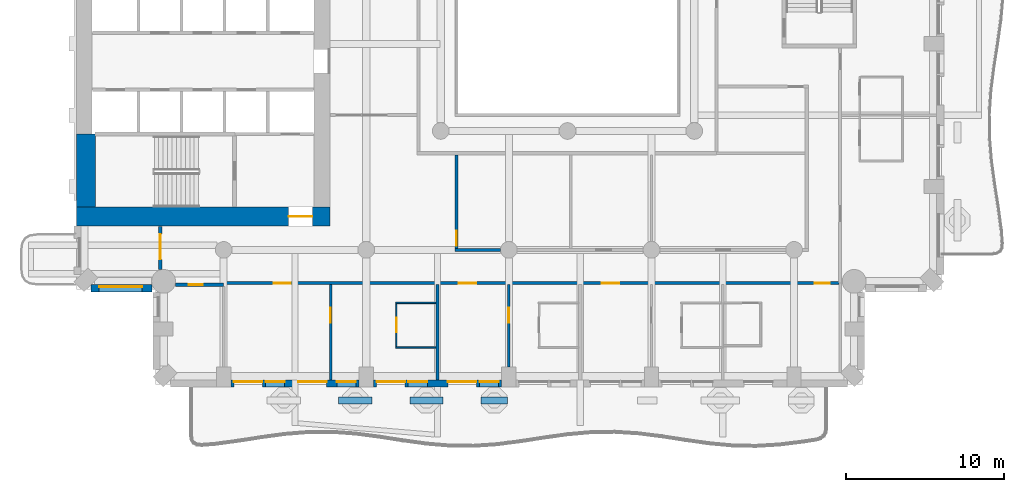
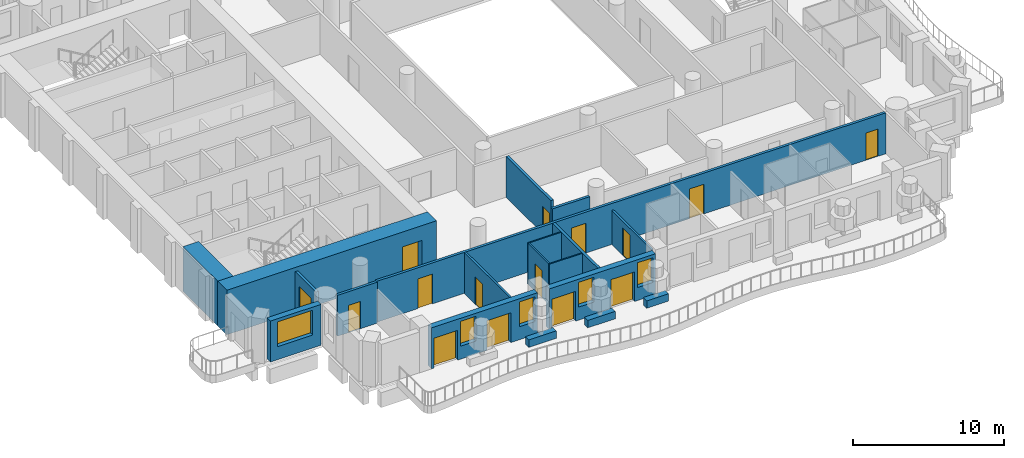
# One storey, part 3 of 19: 19 walls, 15 doors, 5 windows, 20 openings.
"""IFC4 building model written with IfcOpenShell, lengths in metres."""

from ifc_helpers import new_model, si_unit, direction, frame, frame_2d, origin, place, context, subcontext, project, spatial, rectangle, extrude, material, layer, layer_set, type_object, element, fill, save


model = new_model("IFC4")

# Units and contexts
model_context = context("Model", 3, precision=1e-05, world=origin(), true_north=direction((0.0, 1.0)))
body_context = subcontext(model_context, "Body", "Model", "MODEL_VIEW")
ifc_project = project(units=[si_unit("LENGTHUNIT", "METRE"), si_unit("AREAUNIT", "SQUARE_METRE"), si_unit("VOLUMEUNIT", "CUBIC_METRE"), si_unit("PLANEANGLEUNIT", "RADIAN"), si_unit("MASSUNIT", "GRAM", prefix="KILO")], contexts=[model_context])

# Site, building, storey
site_placement = place(None, origin())
site = spatial("IfcSite", under=ifc_project, at=site_placement, CompositionType="ELEMENT")
building_placement = place(site_placement, origin())
building = spatial("IfcBuilding", under=site, at=building_placement, Name="Cypress Arch Tower", CompositionType="ELEMENT")
storey_placement = place(building_placement, frame((0.0, 0.0, 141.89990234375)))
storey = spatial("IfcBuildingStorey", under=building, at=storey_placement, Name="L31", CompositionType="ELEMENT", Elevation=141.89990234375)

# Walls
ifc_material_1 = material(Name="Concrete C40/50, waterproofed", Category="concrete")
ifc_layer_1 = layer(ifc_material_1, 0.449951171875)
ifc_layer_set_1 = layer_set([ifc_layer_1], Name="Balcony planter wall PW450")
wall_type_1 = type_object("IfcWallType", Name="Balcony planter wall PW450", PredefinedType="SOLIDWALL", material=ifc_layer_set_1)
for number, where, z_axis, x_axis, name in (
    (1, (-13.449951171875, -27.0, 0.0), (0.0, 0.0, 1.0), (1.0, 0.0, 0.0), "Balcony planter wall L31-A03.2"),
    (2, (-8.949951171875, -27.0, 0.0), (0.0, 0.0, 1.0), (1.0, 0.0, 0.0), "Balcony planter wall L31-A03.3"),
):
    element("IfcWall", number, at=place(storey_placement, frame(where, z_axis=z_axis, x_axis=x_axis)), inside=storey, type_object=wall_type_1, Name=name, PredefinedType="SOLIDWALL", context=body_context, shape_type="SweptSolid", body=[
        extrude(rectangle(XDim=2.099853515625, YDim=0.449951171875, at=frame_2d((1.0498046875, 0.0))), origin(), (0.0, 0.0, 1.0), 0.60009765625),
    ])
wall_1_placement = place(storey_placement, frame((-4.449951171875, -27.0, 0.0), z_axis=(0.0, 0.0, 1.0), x_axis=(1.0, 0.0, 0.0)))
element("IfcWall", 3, at=wall_1_placement, inside=storey, type_object=wall_type_1, Name="Balcony planter wall L31-A03.4", PredefinedType="SOLIDWALL", context=body_context, shape_type="SweptSolid", body=[
    extrude(rectangle(XDim=1.64990234375, YDim=0.449951171875, at=frame_2d((0.824951171875, 0.0))), origin(), (0.0, 0.0, 1.0), 0.60009765625),
])

# Wall, opening, window
ifc_material_2 = material(Name="Brick (red buff blend)", Category="masonry")
ifc_layer_2 = layer(ifc_material_2, 0.449951171875)
ifc_layer_set_2 = layer_set([ifc_layer_2], Name="Brick pier and spandrel wall BW450")
wall_type_2 = type_object("IfcWallType", Name="Brick pier and spandrel wall BW450", PredefinedType="SOLIDWALL", material=ifc_layer_set_2)
wall_2_placement = place(storey_placement, frame((-29.063720703125, -19.925048828125, 0.0), z_axis=(0.0, 0.0, 1.0), x_axis=(1.0, 0.0, 0.0)))
wall_2 = element("IfcWall", 4, at=wall_2_placement, inside=storey, type_object=wall_type_2, Name="Brick wall L31 A01.0", PredefinedType="SOLIDWALL", context=body_context, shape_type="SweptSolid", body=[
    extrude(rectangle(XDim=3.856689453125, YDim=0.449951171875, at=frame_2d((1.92822265625, 0.0))), origin(), (0.0, 0.0, 1.0), 3.300048828125),
])
opening_1_placement = place(wall_2_placement, frame((0.513671875, 0.0, 1.050048828125)))
opening_1 = element("IfcOpeningElement", 5, at=opening_1_placement, cuts=wall_2, Name="Opening W270H", PredefinedType="OPENING", context=body_context, shape_type="SweptSolid", body=[
    extrude(rectangle(XDim=2.699951171875, YDim=2.0, at=frame_2d((1.35009765625, 1.0))), frame((0.0, 0.23486328125, 0.0), z_axis=(0.0, -1.0, 0.0), x_axis=(1.0, 0.0, 0.0)), (0.0, 0.0, 1.0), 0.469970703125),
])
ifc_material_3 = material(Name="Anodised aluminium, bronze finish, clear low-emissivity double glazing", Category="aluminium")
window_type_1 = type_object("IfcWindowType", Name="Window Hotel 2700x2000", PartitioningType="SINGLE_PANEL", PredefinedType="WINDOW", material=ifc_material_3)
window_1_placement = place(opening_1_placement, origin())
window_1 = element("IfcWindow", 6, at=window_1_placement, inside=storey, type_object=window_type_1, Name="Window L31 A01.0.1", OverallHeight=2.0, OverallWidth=2.699951171875, PartitioningType="SINGLE_PANEL", PredefinedType="WINDOW", context=body_context, shape_type="SweptSolid", body=[
    extrude(rectangle(XDim=2.699951171875, YDim=2.0, at=frame_2d((1.35009765625, 1.0))), frame((0.0, 0.135009765625, 0.0), z_axis=(0.0, -1.0, 0.0), x_axis=(1.0, 0.0, 0.0)), (0.0, 0.0, 1.0), 0.06005859375),
])
fill(opening_1, window_1)

# Wall, openings, doors, windows
wall_3_placement = place(storey_placement, frame((-20.25, -25.925048828125, 0.0), z_axis=(0.0, 0.0, 1.0), x_axis=(1.0, 0.0, 0.0)))
wall_3 = element("IfcWall", 7, at=wall_3_placement, inside=storey, type_object=wall_type_2, Name="Brick wall L31 A03.1", PredefinedType="SOLIDWALL", context=body_context, shape_type="SweptSolid", body=[
    extrude(rectangle(XDim=8.10009765625, YDim=0.449951171875, at=frame_2d((4.050048828125, 0.0))), origin(), (0.0, 0.0, 1.0), 3.300048828125),
])
opening_2_placement = place(wall_3_placement, frame((0.199951171875, 0.0, 0.0)))
opening_2 = element("IfcOpeningElement", 8, at=opening_2_placement, cuts=wall_3, Name="Opening D-L31-A03.1.1", PredefinedType="OPENING", context=body_context, shape_type="SweptSolid", body=[
    extrude(rectangle(XDim=1.800048828125, YDim=2.39990234375, at=frame_2d((0.89990234375, 1.199951171875))), frame((0.0, 0.23486328125, 0.0), z_axis=(0.0, -1.0, 0.0), x_axis=(1.0, 0.0, 0.0)), (0.0, 0.0, 1.0), 0.469970703125),
])
opening_3_placement = place(wall_3_placement, frame((2.199951171875, 0.0, 1.050048828125)))
opening_3 = element("IfcOpeningElement", 9, at=opening_3_placement, cuts=wall_3, Name="Opening W120HD", PredefinedType="OPENING", context=body_context, shape_type="SweptSolid", body=[
    extrude(rectangle(XDim=1.199951171875, YDim=2.0, at=frame_2d((0.60009765625, 1.0))), frame((0.0, 0.23486328125, 0.0), z_axis=(0.0, -1.0, 0.0), x_axis=(1.0, 0.0, 0.0)), (0.0, 0.0, 1.0), 0.469970703125),
])
opening_4_placement = place(wall_3_placement, frame((4.2490234375, 0.0, 0.0)))
opening_4 = element("IfcOpeningElement", 10, at=opening_4_placement, cuts=wall_3, Name="Opening D-L31-A03.1.2", PredefinedType="OPENING", context=body_context, shape_type="SweptSolid", body=[
    extrude(rectangle(XDim=1.800048828125, YDim=2.39990234375, at=frame_2d((0.89990234375, 1.199951171875))), frame((0.0, 0.23486328125, 0.0), z_axis=(0.0, -1.0, 0.0), x_axis=(1.0, 0.0, 0.0)), (0.0, 0.0, 1.0), 0.469970703125),
])
opening_5_placement = place(wall_3_placement, frame((6.699951171875, 0.0, 1.050048828125)))
opening_5 = element("IfcOpeningElement", 11, at=opening_5_placement, cuts=wall_3, Name="Opening W120HD", PredefinedType="OPENING", context=body_context, shape_type="SweptSolid", body=[
    extrude(rectangle(XDim=1.199951171875, YDim=2.0, at=frame_2d((0.60009765625, 1.0))), frame((0.0, 0.23486328125, 0.0), z_axis=(0.0, -1.0, 0.0), x_axis=(1.0, 0.0, 0.0)), (0.0, 0.0, 1.0), 0.469970703125),
])
ifc_material_4 = material(Name="Anodised aluminium, bronze finish, laminated low-emissivity double glazing, large-missile impact rated", Category="aluminium")
door_type_1 = type_object("IfcDoorType", Name="Balcony sliding door 1800x2400", OperationType="SLIDING_TO_LEFT", PredefinedType="DOOR", material=ifc_material_4)
door_1_placement = place(opening_2_placement, origin())
door_1 = element("IfcDoor", 12, at=door_1_placement, inside=storey, type_object=door_type_1, Name="Balcony door L31 A03.1.1", OperationType="SLIDING_TO_LEFT", OverallHeight=2.39990234375, OverallWidth=1.800048828125, PredefinedType="DOOR", context=body_context, shape_type="SweptSolid", body=[
    extrude(rectangle(XDim=1.800048828125, YDim=2.39990234375, at=frame_2d((0.89990234375, 1.199951171875))), frame((0.0, 0.1298828125, 0.0), z_axis=(0.0, -1.0, 0.0), x_axis=(1.0, 0.0, 0.0)), (0.0, 0.0, 1.0), 0.050048828125),
])
fill(opening_2, door_1)
door_2_placement = place(opening_4_placement, origin())
door_2 = element("IfcDoor", 13, at=door_2_placement, inside=storey, type_object=door_type_1, Name="Balcony door L31 A03.1.2", OperationType="SLIDING_TO_LEFT", OverallHeight=2.39990234375, OverallWidth=1.800048828125, PredefinedType="DOOR", context=body_context, shape_type="SweptSolid", body=[
    extrude(rectangle(XDim=1.800048828125, YDim=2.39990234375, at=frame_2d((0.89990234375, 1.199951171875))), frame((0.0, 0.1298828125, 0.0), z_axis=(0.0, -1.0, 0.0), x_axis=(1.0, 0.0, 0.0)), (0.0, 0.0, 1.0), 0.050048828125),
])
fill(opening_4, door_2)
ifc_material_5 = material(Name="Anodised aluminium, bronze finish, laminated low-emissivity double glazing, large-missile impact rated", Category="aluminium")
window_type_2 = type_object("IfcWindowType", Name="Window Hotel 1200x2000 debris-rated", PartitioningType="SINGLE_PANEL", PredefinedType="WINDOW", material=ifc_material_5)
window_2_placement = place(opening_3_placement, origin())
window_2 = element("IfcWindow", 14, at=window_2_placement, inside=storey, type_object=window_type_2, Name="Window L31 A03.1.1", OverallHeight=2.0, OverallWidth=1.199951171875, PartitioningType="SINGLE_PANEL", PredefinedType="WINDOW", context=body_context, shape_type="SweptSolid", body=[
    extrude(rectangle(XDim=1.199951171875, YDim=2.0, at=frame_2d((0.60009765625, 1.0))), frame((0.0, 0.135009765625, 0.0), z_axis=(0.0, -1.0, 0.0), x_axis=(1.0, 0.0, 0.0)), (0.0, 0.0, 1.0), 0.06005859375),
])
fill(opening_3, window_2)
window_3_placement = place(opening_5_placement, origin())
window_3 = element("IfcWindow", 15, at=window_3_placement, inside=storey, type_object=window_type_2, Name="Window L31 A03.1.2", OverallHeight=2.0, OverallWidth=1.199951171875, PartitioningType="SINGLE_PANEL", PredefinedType="WINDOW", context=body_context, shape_type="SweptSolid", body=[
    extrude(rectangle(XDim=1.199951171875, YDim=2.0, at=frame_2d((0.60009765625, 1.0))), frame((0.0, 0.135009765625, 0.0), z_axis=(0.0, -1.0, 0.0), x_axis=(1.0, 0.0, 0.0)), (0.0, 0.0, 1.0), 0.06005859375),
])
fill(opening_5, window_3)

wall_4_placement = place(storey_placement, frame((-11.25, -25.925048828125, 0.0), z_axis=(0.0, 0.0, 1.0), x_axis=(1.0, 0.0, 0.0)))
wall_4 = element("IfcWall", 16, at=wall_4_placement, inside=storey, type_object=wall_type_2, Name="Brick wall L31 A03.2", PredefinedType="SOLIDWALL", context=body_context, shape_type="SweptSolid", body=[
    extrude(rectangle(XDim=8.10009765625, YDim=0.449951171875, at=frame_2d((4.050048828125, 0.0))), origin(), (0.0, 0.0, 1.0), 3.300048828125),
])
opening_6_placement = place(wall_4_placement, frame((0.199951171875, 0.0, 0.0)))
opening_6 = element("IfcOpeningElement", 17, at=opening_6_placement, cuts=wall_4, Name="Opening D-L31-A03.2.1", PredefinedType="OPENING", context=body_context, shape_type="SweptSolid", body=[
    extrude(rectangle(XDim=1.800048828125, YDim=2.39990234375, at=frame_2d((0.89990234375, 1.199951171875))), frame((0.0, 0.23486328125, 0.0), z_axis=(0.0, -1.0, 0.0), x_axis=(1.0, 0.0, 0.0)), (0.0, 0.0, 1.0), 0.469970703125),
])
opening_7_placement = place(wall_4_placement, frame((2.199951171875, 0.0, 1.050048828125)))
opening_7 = element("IfcOpeningElement", 18, at=opening_7_placement, cuts=wall_4, Name="Opening W120HD", PredefinedType="OPENING", context=body_context, shape_type="SweptSolid", body=[
    extrude(rectangle(XDim=1.199951171875, YDim=2.0, at=frame_2d((0.60009765625, 1.0))), frame((0.0, 0.23486328125, 0.0), z_axis=(0.0, -1.0, 0.0), x_axis=(1.0, 0.0, 0.0)), (0.0, 0.0, 1.0), 0.469970703125),
])
opening_8_placement = place(wall_4_placement, frame((4.699951171875, 0.0, 0.0)))
opening_8 = element("IfcOpeningElement", 19, at=opening_8_placement, cuts=wall_4, Name="Opening D-L31-A03.2.2", PredefinedType="OPENING", context=body_context, shape_type="SweptSolid", body=[
    extrude(rectangle(XDim=1.800048828125, YDim=2.39990234375, at=frame_2d((0.89990234375, 1.199951171875))), frame((0.0, 0.23486328125, 0.0), z_axis=(0.0, -1.0, 0.0), x_axis=(1.0, 0.0, 0.0)), (0.0, 0.0, 1.0), 0.469970703125),
])
opening_9_placement = place(wall_4_placement, frame((6.699951171875, 0.0, 1.050048828125)))
opening_9 = element("IfcOpeningElement", 20, at=opening_9_placement, cuts=wall_4, Name="Opening W120HD", PredefinedType="OPENING", context=body_context, shape_type="SweptSolid", body=[
    extrude(rectangle(XDim=1.199951171875, YDim=2.0, at=frame_2d((0.60009765625, 1.0))), frame((0.0, 0.23486328125, 0.0), z_axis=(0.0, -1.0, 0.0), x_axis=(1.0, 0.0, 0.0)), (0.0, 0.0, 1.0), 0.469970703125),
])
door_3_placement = place(opening_6_placement, origin())
door_3 = element("IfcDoor", 21, at=door_3_placement, inside=storey, type_object=door_type_1, Name="Balcony door L31 A03.2.1", OperationType="SLIDING_TO_LEFT", OverallHeight=2.39990234375, OverallWidth=1.800048828125, PredefinedType="DOOR", context=body_context, shape_type="SweptSolid", body=[
    extrude(rectangle(XDim=1.800048828125, YDim=2.39990234375, at=frame_2d((0.89990234375, 1.199951171875))), frame((0.0, 0.1298828125, 0.0), z_axis=(0.0, -1.0, 0.0), x_axis=(1.0, 0.0, 0.0)), (0.0, 0.0, 1.0), 0.050048828125),
])
fill(opening_6, door_3)
door_4_placement = place(opening_8_placement, origin())
door_4 = element("IfcDoor", 22, at=door_4_placement, inside=storey, type_object=door_type_1, Name="Balcony door L31 A03.2.2", OperationType="SLIDING_TO_LEFT", OverallHeight=2.39990234375, OverallWidth=1.800048828125, PredefinedType="DOOR", context=body_context, shape_type="SweptSolid", body=[
    extrude(rectangle(XDim=1.800048828125, YDim=2.39990234375, at=frame_2d((0.89990234375, 1.199951171875))), frame((0.0, 0.1298828125, 0.0), z_axis=(0.0, -1.0, 0.0), x_axis=(1.0, 0.0, 0.0)), (0.0, 0.0, 1.0), 0.050048828125),
])
fill(opening_8, door_4)
window_4_placement = place(opening_7_placement, origin())
window_4 = element("IfcWindow", 23, at=window_4_placement, inside=storey, type_object=window_type_2, Name="Window L31 A03.2.1", OverallHeight=2.0, OverallWidth=1.199951171875, PartitioningType="SINGLE_PANEL", PredefinedType="WINDOW", context=body_context, shape_type="SweptSolid", body=[
    extrude(rectangle(XDim=1.199951171875, YDim=2.0, at=frame_2d((0.60009765625, 1.0))), frame((0.0, 0.135009765625, 0.0), z_axis=(0.0, -1.0, 0.0), x_axis=(1.0, 0.0, 0.0)), (0.0, 0.0, 1.0), 0.06005859375),
])
fill(opening_7, window_4)
window_5_placement = place(opening_9_placement, origin())
window_5 = element("IfcWindow", 24, at=window_5_placement, inside=storey, type_object=window_type_2, Name="Window L31 A03.2.2", OverallHeight=2.0, OverallWidth=1.199951171875, PartitioningType="SINGLE_PANEL", PredefinedType="WINDOW", context=body_context, shape_type="SweptSolid", body=[
    extrude(rectangle(XDim=1.199951171875, YDim=2.0, at=frame_2d((0.60009765625, 1.0))), frame((0.0, 0.135009765625, 0.0), z_axis=(0.0, -1.0, 0.0), x_axis=(1.0, 0.0, 0.0)), (0.0, 0.0, 1.0), 0.06005859375),
])
fill(opening_9, window_5)

# Wall, opening, door
ifc_material_6 = material(Name="Concrete C80/95", Category="concrete")
ifc_layer_3 = layer(ifc_material_6, 1.199951171875)
ifc_layer_set_3 = layer_set([ifc_layer_3], Name="Core wall CW1200 C80/95")
wall_type_3 = type_object("IfcWallType", Name="Core wall CW1200 C80/95", PredefinedType="SHEAR", material=ifc_layer_set_3)
wall_5_placement = place(storey_placement, frame((-30.0, -15.39990234375, 0.0), z_axis=(0.0, 0.0, 1.0), x_axis=(1.0, 0.0, 0.0)))
wall_5 = element("IfcWall", 25, at=wall_5_placement, inside=storey, type_object=wall_type_3, Name="Core wall", PredefinedType="SHEAR", context=body_context, shape_type="SweptSolid", body=[
    extrude(rectangle(XDim=16.0, YDim=1.199951171875, at=frame_2d((8.0, 0.0))), origin(), (0.0, 0.0, 1.0), 3.60009765625),
])
opening_10_placement = place(wall_5_placement, frame((13.39990234375, 0.0, 0.0)))
opening_10 = element("IfcOpeningElement", 26, at=opening_10_placement, cuts=wall_5, Name="Opening D07", PredefinedType="OPENING", context=body_context, shape_type="SweptSolid", body=[
    extrude(rectangle(XDim=1.5, YDim=2.39990234375, at=frame_2d((0.75, 1.199951171875))), frame((0.0, 0.60986328125, 0.0), z_axis=(0.0, -1.0, 0.0), x_axis=(1.0, 0.0, 0.0)), (0.0, 0.0, 1.0), 1.219970703125),
])
ifc_material_7 = material(Name="Steel framed glazed door, fire resisting", Category="steel")
door_type_2 = type_object("IfcDoorType", Name="Lobby door D07 1500x2400", OperationType="DOUBLE_DOOR_SINGLE_SWING", PredefinedType="DOOR", material=ifc_material_7)
door_5_placement = place(opening_10_placement, origin())
door_5 = element("IfcDoor", 27, at=door_5_placement, inside=storey, type_object=door_type_2, Name="Lobby door", OperationType="DOUBLE_DOOR_SINGLE_SWING", OverallHeight=2.39990234375, OverallWidth=1.5, PredefinedType="DOOR", context=body_context, shape_type="SweptSolid", body=[
    extrude(rectangle(XDim=1.5, YDim=2.39990234375, at=frame_2d((0.75, 1.199951171875))), frame((0.0, 0.02490234375, 0.0), z_axis=(0.0, -1.0, 0.0), x_axis=(1.0, 0.0, 0.0)), (0.0, 0.0, 1.0), 0.050048828125),
])
fill(opening_10, door_5)

# Wall
wall_6_placement = place(storey_placement, frame((-29.39990234375, -14.800048828125, 0.0), z_axis=(0.0, 0.0, 1.0), x_axis=(0.0, 1.0, 0.0)))
element("IfcWall", 28, at=wall_6_placement, inside=storey, type_object=wall_type_3, Name="Core wall", PredefinedType="SHEAR", context=body_context, shape_type="SweptSolid", body=[
    extrude(rectangle(XDim=4.60009765625, YDim=1.199951171875, at=frame_2d((2.300048828125, 0.0))), origin(), (0.0, 0.0, 1.0), 3.60009765625),
])

# Wall, opening, door
ifc_material_8 = material(Name="Concrete blockwork, plastered, rated", Category="masonry")
ifc_layer_4 = layer(ifc_material_8, 0.199951171875)
ifc_layer_set_4 = layer_set([ifc_layer_4], Name="Corridor wall FW200")
wall_type_4 = type_object("IfcWallType", Name="Corridor wall FW200", PredefinedType="PARTITIONING", material=ifc_layer_set_4)
wall_7_placement = place(storey_placement, frame((-24.699951171875, -18.752197265625, 0.0), z_axis=(0.0, 0.0, 1.0), x_axis=(0.0, 1.0, 0.0)))
wall_7 = element("IfcWall", 29, at=wall_7_placement, inside=storey, type_object=wall_type_4, Name="Corridor wall", PredefinedType="PARTITIONING", context=body_context, shape_type="SweptSolid", body=[
    extrude(rectangle(XDim=2.72216796875, YDim=0.199951171875, at=frame_2d((1.361083984375, 0.0))), origin(), (0.0, 0.0, 1.0), 3.300048828125),
])
opening_11_placement = place(wall_7_placement, frame((0.64990234375, 0.0, 0.0)))
opening_11 = element("IfcOpeningElement", 30, at=opening_11_placement, cuts=wall_7, Name="Opening D10", PredefinedType="OPENING", context=body_context, shape_type="SweptSolid", body=[
    extrude(rectangle(XDim=1.60009765625, YDim=2.39990234375, at=frame_2d((0.800048828125, 1.199951171875))), frame((0.0, 0.10986328125, 0.0), z_axis=(0.0, -1.0, 0.0), x_axis=(1.0, 0.0, 0.0)), (0.0, 0.0, 1.0), 0.219970703125),
])
ifc_material_9 = material(Name="Black aluminium glazed door", Category="aluminium")
door_type_3 = type_object("IfcDoorType", Name="Amenity door D10 1600x2400", OperationType="DOUBLE_DOOR_SINGLE_SWING", PredefinedType="DOOR", material=ifc_material_9)
door_6_placement = place(opening_11_placement, origin())
door_6 = element("IfcDoor", 31, at=door_6_placement, inside=storey, type_object=door_type_3, Name="Amenity door", OperationType="DOUBLE_DOOR_SINGLE_SWING", OverallHeight=2.39990234375, OverallWidth=1.60009765625, PredefinedType="DOOR", context=body_context, shape_type="SweptSolid", body=[
    extrude(rectangle(XDim=1.60009765625, YDim=2.39990234375, at=frame_2d((0.800048828125, 1.199951171875))), frame((0.0, 0.02490234375, 0.0), z_axis=(0.0, -1.0, 0.0), x_axis=(1.0, 0.0, 0.0)), (0.0, 0.0, 1.0), 0.050048828125),
])
fill(opening_11, door_6)

wall_8_placement = place(storey_placement, frame((-23.752197265625, -19.699951171875, 0.0), z_axis=(0.0, 0.0, 1.0), x_axis=(1.0, 0.0, 0.0)))
wall_8 = element("IfcWall", 32, at=wall_8_placement, inside=storey, type_object=wall_type_4, Name="Corridor wall", PredefinedType="PARTITIONING", context=body_context, shape_type="SweptSolid", body=[
    extrude(rectangle(XDim=3.05224609375, YDim=0.199951171875, at=frame_2d((1.526123046875, 0.0))), origin(), (0.0, 0.0, 1.0), 3.300048828125),
])
opening_12_placement = place(wall_8_placement, frame((0.85009765625, 0.0, 0.0)))
opening_12 = element("IfcOpeningElement", 33, at=opening_12_placement, cuts=wall_8, Name="Opening D05", PredefinedType="OPENING", context=body_context, shape_type="SweptSolid", body=[
    extrude(rectangle(XDim=0.89990234375, YDim=2.199951171875, at=frame_2d((0.449951171875, 1.10009765625))), frame((0.0, 0.10986328125, 0.0), z_axis=(0.0, -1.0, 0.0), x_axis=(1.0, 0.0, 0.0)), (0.0, 0.0, 1.0), 0.219970703125),
])
ifc_material_10 = material(Name="Timber flush door", Category="wood")
door_type_4 = type_object("IfcDoorType", Name="Service door D05 900x2200", OperationType="SINGLE_SWING_LEFT", PredefinedType="DOOR", material=ifc_material_10)
door_7_placement = place(opening_12_placement, origin())
door_7 = element("IfcDoor", 34, at=door_7_placement, inside=storey, type_object=door_type_4, Name="Service door", OperationType="SINGLE_SWING_RIGHT", OverallHeight=2.199951171875, OverallWidth=0.89990234375, PredefinedType="DOOR", context=body_context, shape_type="SweptSolid", body=[
    extrude(rectangle(XDim=0.89990234375, YDim=2.199951171875, at=frame_2d((0.449951171875, 1.10009765625))), frame((0.0, 0.02490234375, 0.0), z_axis=(0.0, -1.0, 0.0), x_axis=(1.0, 0.0, 0.0)), (0.0, 0.0, 1.0), 0.050048828125),
])
fill(opening_12, door_7)

# Wall, openings, doors
wall_9_placement = place(storey_placement, frame((-20.699951171875, -19.60009765625, 0.0), z_axis=(0.0, 0.0, 1.0), x_axis=(1.0, 0.0, 0.0)))
wall_9 = element("IfcWall", 35, at=wall_9_placement, inside=storey, type_object=wall_type_4, Name="Corridor wall", PredefinedType="PARTITIONING", context=body_context, shape_type="SweptSolid", body=[
    extrude(rectangle(XDim=38.824951171875, YDim=0.199951171875, at=frame_2d((19.41259765625, 0.0))), origin(), (0.0, 0.0, 1.0), 3.300048828125),
])
opening_13_placement = place(wall_9_placement, frame((3.14990234375, 0.0, 0.0)))
opening_13 = element("IfcOpeningElement", 36, at=opening_13_placement, cuts=wall_9, Name="Opening D01", PredefinedType="OPENING", context=body_context, shape_type="SweptSolid", body=[
    extrude(rectangle(XDim=1.10009765625, YDim=2.39990234375, at=frame_2d((0.550048828125, 1.199951171875))), frame((0.0, 0.10986328125, 0.0), z_axis=(0.0, -1.0, 0.0), x_axis=(1.0, 0.0, 0.0)), (0.0, 0.0, 1.0), 0.219970703125),
])
opening_14_placement = place(wall_9_placement, frame((14.85009765625, 0.0, 0.0)))
opening_14 = element("IfcOpeningElement", 37, at=opening_14_placement, cuts=wall_9, Name="Opening D01", PredefinedType="OPENING", context=body_context, shape_type="SweptSolid", body=[
    extrude(rectangle(XDim=1.10009765625, YDim=2.39990234375, at=frame_2d((0.550048828125, 1.199951171875))), frame((0.0, 0.10986328125, 0.0), z_axis=(0.0, -1.0, 0.0), x_axis=(1.0, 0.0, 0.0)), (0.0, 0.0, 1.0), 0.219970703125),
])
opening_15_placement = place(wall_9_placement, frame((23.85009765625, 0.0, 0.0)))
opening_15 = element("IfcOpeningElement", 38, at=opening_15_placement, cuts=wall_9, Name="Opening D01", PredefinedType="OPENING", context=body_context, shape_type="SweptSolid", body=[
    extrude(rectangle(XDim=1.10009765625, YDim=2.39990234375, at=frame_2d((0.550048828125, 1.199951171875))), frame((0.0, 0.10986328125, 0.0), z_axis=(0.0, -1.0, 0.0), x_axis=(1.0, 0.0, 0.0)), (0.0, 0.0, 1.0), 0.219970703125),
])
opening_16_placement = place(wall_9_placement, frame((37.300048828125, 0.0, 0.0)))
opening_16 = element("IfcOpeningElement", 39, at=opening_16_placement, cuts=wall_9, Name="Opening D02", PredefinedType="OPENING", context=body_context, shape_type="SweptSolid", body=[
    extrude(rectangle(XDim=0.949951171875, YDim=2.199951171875, at=frame_2d((0.47509765625, 1.10009765625))), frame((0.0, 0.10986328125, 0.0), z_axis=(0.0, -1.0, 0.0), x_axis=(1.0, 0.0, 0.0)), (0.0, 0.0, 1.0), 0.219970703125),
])
ifc_material_11 = material(Name="Timber flush door, fire resisting", Category="wood")
door_type_5 = type_object("IfcDoorType", Name="Room door D02 950x2200", OperationType="SINGLE_SWING_LEFT", PredefinedType="DOOR", material=ifc_material_11)
door_8_placement = place(opening_16_placement, origin())
door_8 = element("IfcDoor", 40, at=door_8_placement, inside=storey, type_object=door_type_5, Name="Room door", OperationType="SINGLE_SWING_LEFT", OverallHeight=2.199951171875, OverallWidth=0.949951171875, PredefinedType="DOOR", context=body_context, shape_type="SweptSolid", body=[
    extrude(rectangle(XDim=0.949951171875, YDim=2.199951171875, at=frame_2d((0.47509765625, 1.10009765625))), frame((0.0, 0.02490234375, 0.0), z_axis=(0.0, -1.0, 0.0), x_axis=(1.0, 0.0, 0.0)), (0.0, 0.0, 1.0), 0.050048828125),
])
fill(opening_16, door_8)
ifc_material_12 = material(Name="Timber flush door, fire resisting, self-closing", Category="wood")
door_type_6 = type_object("IfcDoorType", Name="Unit entrance door D01 1100x2400", OperationType="SINGLE_SWING_LEFT", PredefinedType="DOOR", material=ifc_material_12)
door_9_placement = place(opening_13_placement, origin())
door_9 = element("IfcDoor", 41, at=door_9_placement, inside=storey, type_object=door_type_6, Name="Unit entrance door", OperationType="SINGLE_SWING_LEFT", OverallHeight=2.39990234375, OverallWidth=1.10009765625, PredefinedType="DOOR", context=body_context, shape_type="SweptSolid", body=[
    extrude(rectangle(XDim=1.10009765625, YDim=2.39990234375, at=frame_2d((0.550048828125, 1.199951171875))), frame((0.0, 0.02490234375, 0.0), z_axis=(0.0, -1.0, 0.0), x_axis=(1.0, 0.0, 0.0)), (0.0, 0.0, 1.0), 0.050048828125),
])
fill(opening_13, door_9)
door_10_placement = place(opening_14_placement, origin())
door_10 = element("IfcDoor", 42, at=door_10_placement, inside=storey, type_object=door_type_6, Name="Unit entrance door", OperationType="SINGLE_SWING_RIGHT", OverallHeight=2.39990234375, OverallWidth=1.10009765625, PredefinedType="DOOR", context=body_context, shape_type="SweptSolid", body=[
    extrude(rectangle(XDim=1.10009765625, YDim=2.39990234375, at=frame_2d((0.550048828125, 1.199951171875))), frame((0.0, 0.02490234375, 0.0), z_axis=(0.0, -1.0, 0.0), x_axis=(1.0, 0.0, 0.0)), (0.0, 0.0, 1.0), 0.050048828125),
])
fill(opening_14, door_10)
door_11_placement = place(opening_15_placement, origin())
door_11 = element("IfcDoor", 43, at=door_11_placement, inside=storey, type_object=door_type_6, Name="Unit entrance door", OperationType="SINGLE_SWING_RIGHT", OverallHeight=2.39990234375, OverallWidth=1.10009765625, PredefinedType="DOOR", context=body_context, shape_type="SweptSolid", body=[
    extrude(rectangle(XDim=1.10009765625, YDim=2.39990234375, at=frame_2d((0.550048828125, 1.199951171875))), frame((0.0, 0.02490234375, 0.0), z_axis=(0.0, -1.0, 0.0), x_axis=(1.0, 0.0, 0.0)), (0.0, 0.0, 1.0), 0.050048828125),
])
fill(opening_15, door_11)

# Wall, opening, door
wall_10_placement = place(storey_placement, frame((-6.0, -17.39990234375, 0.0), z_axis=(0.0, 0.0, 1.0), x_axis=(0.0, 1.0, 0.0)))
wall_10 = element("IfcWall", 44, at=wall_10_placement, inside=storey, type_object=wall_type_4, Name="Corridor wall", PredefinedType="PARTITIONING", context=body_context, shape_type="SweptSolid", body=[
    extrude(rectangle(XDim=5.89990234375, YDim=0.199951171875, at=frame_2d((2.949951171875, 0.0))), origin(), (0.0, 0.0, 1.0), 3.300048828125),
])
opening_17_placement = place(wall_10_placement, frame((0.14990234375, 0.0, 0.0)))
opening_17 = element("IfcOpeningElement", 45, at=opening_17_placement, cuts=wall_10, Name="Opening D02", PredefinedType="OPENING", context=body_context, shape_type="SweptSolid", body=[
    extrude(rectangle(XDim=0.949951171875, YDim=2.199951171875, at=frame_2d((0.47509765625, 1.10009765625))), frame((0.0, 0.10986328125, 0.0), z_axis=(0.0, -1.0, 0.0), x_axis=(1.0, 0.0, 0.0)), (0.0, 0.0, 1.0), 0.219970703125),
])
door_12_placement = place(opening_17_placement, origin())
door_12 = element("IfcDoor", 46, at=door_12_placement, inside=storey, type_object=door_type_5, Name="Room door", OperationType="SINGLE_SWING_RIGHT", OverallHeight=2.199951171875, OverallWidth=0.949951171875, PredefinedType="DOOR", context=body_context, shape_type="SweptSolid", body=[
    extrude(rectangle(XDim=0.949951171875, YDim=2.199951171875, at=frame_2d((0.47509765625, 1.10009765625))), frame((0.0, 0.02490234375, 0.0), z_axis=(0.0, -1.0, 0.0), x_axis=(1.0, 0.0, 0.0)), (0.0, 0.0, 1.0), 0.050048828125),
])
fill(opening_17, door_12)

# Wall
wall_11_placement = place(storey_placement, frame((-6.10009765625, -17.5, 0.0), z_axis=(0.0, 0.0, 1.0), x_axis=(1.0, 0.0, 0.0)))
element("IfcWall", 47, at=wall_11_placement, inside=storey, type_object=wall_type_4, Name="Corridor wall", PredefinedType="PARTITIONING", context=body_context, shape_type="SweptSolid", body=[
    extrude(rectangle(XDim=2.875, YDim=0.199951171875, at=frame_2d((1.4375, 0.0))), origin(), (0.0, 0.0, 1.0), 2.75),
])

# Wall, opening, door
ifc_material_13 = material(Name="Blockwork, plastered both sides", Category="masonry")
ifc_layer_5 = layer(ifc_material_13, 0.14990234375)
ifc_layer_set_5 = layer_set([ifc_layer_5], Name="Partition PW150")
wall_type_5 = type_object("IfcWallType", Name="Partition PW150", PredefinedType="PARTITIONING", material=ifc_layer_set_5)
wall_12_placement = place(storey_placement, frame((-13.950927734375, -25.699951171875, 0.0), z_axis=(0.0, 0.0, 1.0), x_axis=(0.0, 1.0, 0.0)))
wall_12 = element("IfcWall", 48, at=wall_12_placement, inside=storey, type_object=wall_type_5, Name="Partition", PredefinedType="PARTITIONING", context=body_context, shape_type="SweptSolid", body=[
    extrude(rectangle(XDim=6.0, YDim=0.14990234375, at=frame_2d((3.0, 0.0))), origin(), (0.0, 0.0, 1.0), 3.300048828125),
])
opening_18_placement = place(wall_12_placement, frame((3.60009765625, 0.0, 0.0)))
opening_18 = element("IfcOpeningElement", 49, at=opening_18_placement, cuts=wall_12, Name="Opening D12", PredefinedType="OPENING", context=body_context, shape_type="SweptSolid", body=[
    extrude(rectangle(XDim=0.949951171875, YDim=2.199951171875, at=frame_2d((0.47509765625, 1.10009765625))), frame((0.0, 0.0849609375, 0.0), z_axis=(0.0, -1.0, 0.0), x_axis=(1.0, 0.0, 0.0)), (0.0, 0.0, 1.0), 0.169921875),
])
ifc_material_14 = material(Name="Timber flush door", Category="wood")
door_type_7 = type_object("IfcDoorType", Name="Room door D12 950x2200", OperationType="SINGLE_SWING_LEFT", PredefinedType="DOOR", material=ifc_material_14)
door_13_placement = place(opening_18_placement, origin())
door_13 = element("IfcDoor", 50, at=door_13_placement, inside=storey, type_object=door_type_7, Name="Room door", OperationType="SINGLE_SWING_RIGHT", OverallHeight=2.199951171875, OverallWidth=0.949951171875, PredefinedType="DOOR", context=body_context, shape_type="SweptSolid", body=[
    extrude(rectangle(XDim=0.949951171875, YDim=2.199951171875, at=frame_2d((0.47509765625, 1.10009765625))), frame((0.0, 0.02490234375, 0.0), z_axis=(0.0, -1.0, 0.0), x_axis=(1.0, 0.0, 0.0)), (0.0, 0.0, 1.0), 0.050048828125),
])
fill(opening_18, door_13)

wall_13_placement = place(storey_placement, frame((-2.699951171875, -24.89990234375, 0.0), z_axis=(0.0, 0.0, 1.0), x_axis=(0.0, 1.0, 0.0)))
wall_13 = element("IfcWall", 51, at=wall_13_placement, inside=storey, type_object=wall_type_5, Name="Partition", PredefinedType="PARTITIONING", context=body_context, shape_type="SweptSolid", body=[
    extrude(rectangle(XDim=5.199951171875, YDim=0.14990234375, at=frame_2d((2.60009765625, 0.0))), origin(), (0.0, 0.0, 1.0), 2.75),
])
opening_19_placement = place(wall_13_placement, frame((2.800048828125, 0.0, 0.0)))
opening_19 = element("IfcOpeningElement", 52, at=opening_19_placement, cuts=wall_13, Name="Opening D12", PredefinedType="OPENING", context=body_context, shape_type="SweptSolid", body=[
    extrude(rectangle(XDim=0.949951171875, YDim=2.199951171875, at=frame_2d((0.47509765625, 1.10009765625))), frame((0.0, 0.0849609375, 0.0), z_axis=(0.0, -1.0, 0.0), x_axis=(1.0, 0.0, 0.0)), (0.0, 0.0, 1.0), 0.169921875),
])
door_14_placement = place(opening_19_placement, origin())
door_14 = element("IfcDoor", 53, at=door_14_placement, inside=storey, type_object=door_type_7, Name="Room door", OperationType="SINGLE_SWING_RIGHT", OverallHeight=2.199951171875, OverallWidth=0.949951171875, PredefinedType="DOOR", context=body_context, shape_type="SweptSolid", body=[
    extrude(rectangle(XDim=0.949951171875, YDim=2.199951171875, at=frame_2d((0.47509765625, 1.10009765625))), frame((0.0, 0.02490234375, 0.0), z_axis=(0.0, -1.0, 0.0), x_axis=(1.0, 0.0, 0.0)), (0.0, 0.0, 1.0), 0.050048828125),
])
fill(opening_19, door_14)

# Wall
ifc_material_15 = material(Name="Dense blockwork, plastered both sides, acoustic and rated", Category="masonry")
ifc_layer_6 = layer(ifc_material_15, 0.199951171875)
ifc_layer_set_6 = layer_set([ifc_layer_6], Name="Party wall PW200")
wall_type_6 = type_object("IfcWallType", Name="Party wall PW200", PredefinedType="PARTITIONING", material=ifc_layer_set_6)
wall_14_placement = place(storey_placement, frame((-7.199951171875, -25.699951171875, 0.0), z_axis=(0.0, 0.0, 1.0), x_axis=(0.0, 1.0, 0.0)))
element("IfcWall", 54, at=wall_14_placement, inside=storey, type_object=wall_type_6, Name="Party wall", PredefinedType="PARTITIONING", context=body_context, shape_type="SweptSolid", body=[
    extrude(rectangle(XDim=6.0, YDim=0.199951171875, at=frame_2d((3.0, 0.0))), origin(), (0.0, 0.0, 1.0), 3.300048828125),
])

# Wall, opening, door
ifc_material_16 = material(Name="Moisture resistant board on steel studs, tiled", Category="steel")
ifc_layer_7 = layer(ifc_material_16, 0.10009765625)
ifc_layer_set_7 = layer_set([ifc_layer_7], Name="Wet wall PW100")
wall_type_7 = type_object("IfcWallType", Name="Wet wall PW100", PredefinedType="PARTITIONING", material=ifc_layer_set_7)
wall_15_placement = place(storey_placement, frame((-9.7958984375, -23.60009765625, 0.0), z_axis=(0.0, 0.0, 1.0), x_axis=(0.0, 1.0, 0.0)))
wall_15 = element("IfcWall", 55, at=wall_15_placement, inside=storey, type_object=wall_type_7, Name="Wet wall", PredefinedType="PARTITIONING", context=body_context, shape_type="SweptSolid", body=[
    extrude(rectangle(XDim=2.7001953125, YDim=0.10009765625, at=frame_2d((1.35009765625, 0.0))), origin(), (0.0, 0.0, 1.0), 3.300048828125),
])
opening_20_placement = place(wall_15_placement, frame((0.89990234375, 0.0, 0.0)))
opening_20 = element("IfcOpeningElement", 56, at=opening_20_placement, cuts=wall_15, Name="Opening D03", PredefinedType="OPENING", context=body_context, shape_type="SweptSolid", body=[
    extrude(rectangle(XDim=0.89990234375, YDim=2.199951171875, at=frame_2d((0.449951171875, 1.10009765625))), frame((0.0, 0.06005859375, 0.0), z_axis=(0.0, -1.0, 0.0), x_axis=(1.0, 0.0, 0.0)), (0.0, 0.0, 1.0), 0.1201171875),
])
ifc_material_17 = material(Name="Timber flush door, moisture resistant", Category="wood")
door_type_8 = type_object("IfcDoorType", Name="Bathroom door D03 900x2200", OperationType="SINGLE_SWING_LEFT", PredefinedType="DOOR", material=ifc_material_17)
door_15_placement = place(opening_20_placement, origin())
door_15 = element("IfcDoor", 57, at=door_15_placement, inside=storey, type_object=door_type_8, Name="Bathroom door", OperationType="SINGLE_SWING_LEFT", OverallHeight=2.199951171875, OverallWidth=0.89990234375, PredefinedType="DOOR", context=body_context, shape_type="SweptSolid", body=[
    extrude(rectangle(XDim=0.89990234375, YDim=2.199951171875, at=frame_2d((0.449951171875, 1.10009765625))), frame((0.0, 0.02490234375, 0.0), z_axis=(0.0, -1.0, 0.0), x_axis=(1.0, 0.0, 0.0)), (0.0, 0.0, 1.0), 0.050048828125),
])
fill(opening_20, door_15)

# Walls
for number, where, z_axis, x_axis, name in (
    (58, (-9.845947265625, -23.64990234375, 0.0), (0.0, 0.0, 1.0), (1.0, 0.0, 0.0), "Wet wall"),
    (59, (-9.845947265625, -20.85009765625, 0.0), (0.0, 0.0, 1.0), (1.0, 0.0, 0.0), "Wet wall"),
):
    element("IfcWall", number, at=place(storey_placement, frame(where, z_axis=z_axis, x_axis=x_axis)), inside=storey, type_object=wall_type_7, Name=name, PredefinedType="PARTITIONING", context=body_context, shape_type="SweptSolid", body=[
        extrude(rectangle(XDim=2.5458984375, YDim=0.10009765625, at=frame_2d((1.27294921875, 0.0))), origin(), (0.0, 0.0, 1.0), 3.300048828125),
    ])

save(model, "model.ifc")
